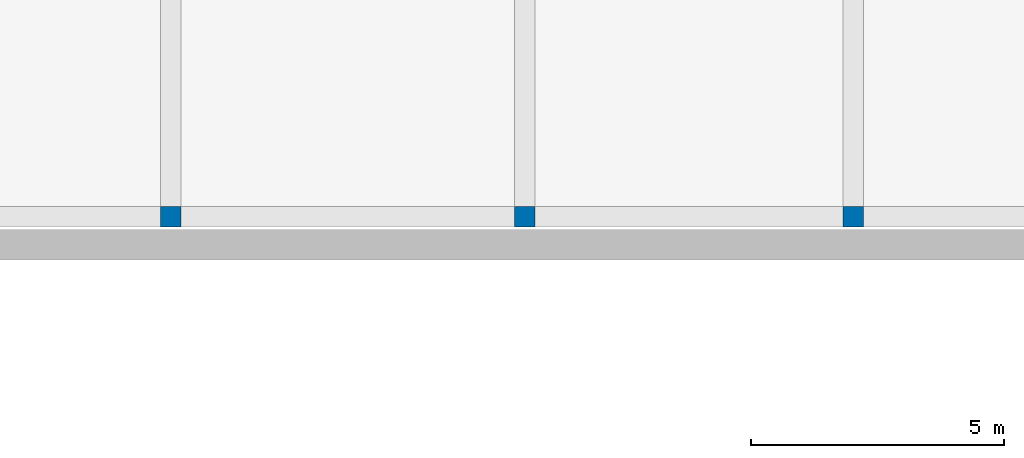
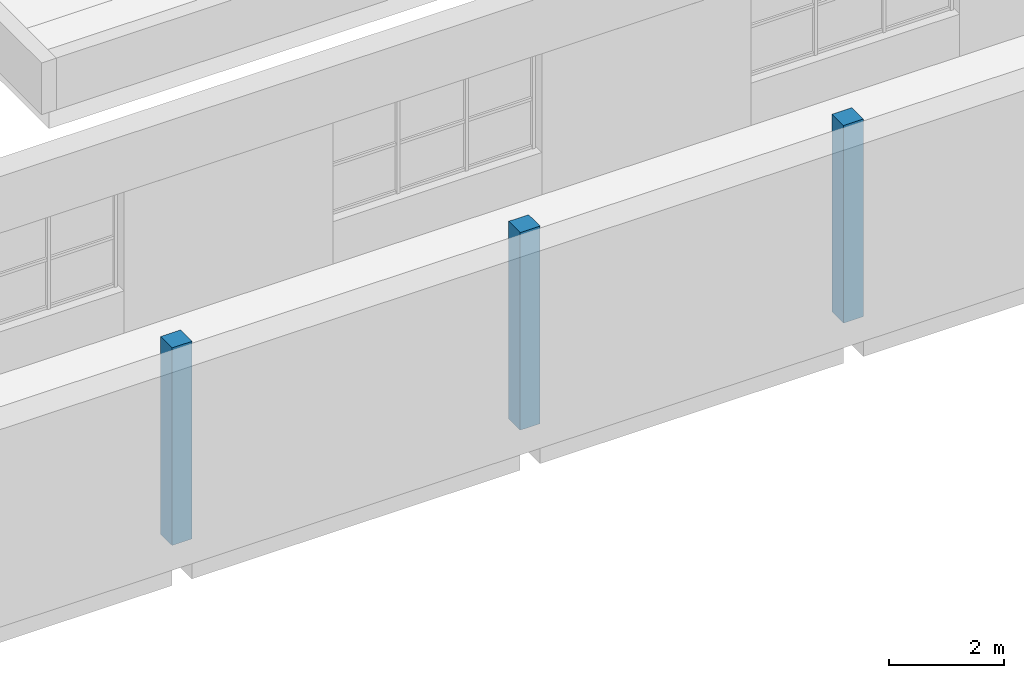
# One storey, part 5 of 60: 3 columns.
"""IFC4 building model written with IfcOpenShell, lengths in metres."""

from ifc_helpers import new_model, si_unit, direction, frame, origin, origin_2d, place, context, subcontext, project, spatial, rectangle, extrude, material, material_profile, profile_set, type_object, element, save


model = new_model("IFC4")

# Units and contexts
model_context = context("Model", 3, precision=1e-05, world=origin(), true_north=direction((0.0, 1.0)))
body_context = subcontext(model_context, "Body", "Model", "MODEL_VIEW")
ifc_project = project(units=[si_unit("LENGTHUNIT", "METRE"), si_unit("AREAUNIT", "SQUARE_METRE"), si_unit("VOLUMEUNIT", "CUBIC_METRE"), si_unit("PLANEANGLEUNIT", "RADIAN"), si_unit("MASSUNIT", "GRAM", prefix="KILO")], contexts=[model_context])

# Site, building, storey
site_placement = place(None, origin())
site = spatial("IfcSite", under=ifc_project, at=site_placement, CompositionType="ELEMENT")
building_placement = place(site_placement, origin())
building = spatial("IfcBuilding", under=site, at=building_placement, Name="Ljudholm Concert House", CompositionType="ELEMENT")
storey_placement = place(building_placement, frame((0.0, 0.0, 15.0)))
storey = spatial("IfcBuildingStorey", under=building, at=storey_placement, Name="L03", CompositionType="ELEMENT", Elevation=15.0)

# Columns
ifc_material = material(Name="Concrete 6,500 psi", Category="concrete")
ifc_material_profile = material_profile(ifc_material, rectangle(XDim=0.39990234375, YDim=0.39990234375, at=origin_2d()), Name="RC COLUMN 400x400")
ifc_profile_set = profile_set([ifc_material_profile], Name="Concrete 6,500 psi")
column_type = type_object("IfcColumnType", Name="RC COLUMN 400x400", PredefinedType="COLUMN", material=ifc_profile_set)
for number, where, z_axis, x_axis, name in (
    (1, (50.0, 90.35009765625, 0.0), (0.0, 0.0, 1.0), (1.0, 0.0, 0.0), "Ring column"),
    (2, (57.0, 90.35009765625, 0.0), (0.0, 0.0, 1.0), (1.0, 0.0, 0.0), "Ring column"),
    (3, (63.5, 90.35009765625, 0.0), (0.0, 0.0, 1.0), (1.0, 0.0, 0.0), "Ring column"),
):
    element("IfcColumn", number, at=place(storey_placement, frame(where, z_axis=z_axis, x_axis=x_axis)), inside=storey, type_object=column_type, Name=name, PredefinedType="COLUMN", context=body_context, shape_type="SweptSolid", body=[
        extrude(rectangle(XDim=0.39990234375, YDim=0.39990234375, at=origin_2d()), origin(), (0.0, 0.0, 1.0), 4.199951171875),
    ])

save(model, "model.ifc")
